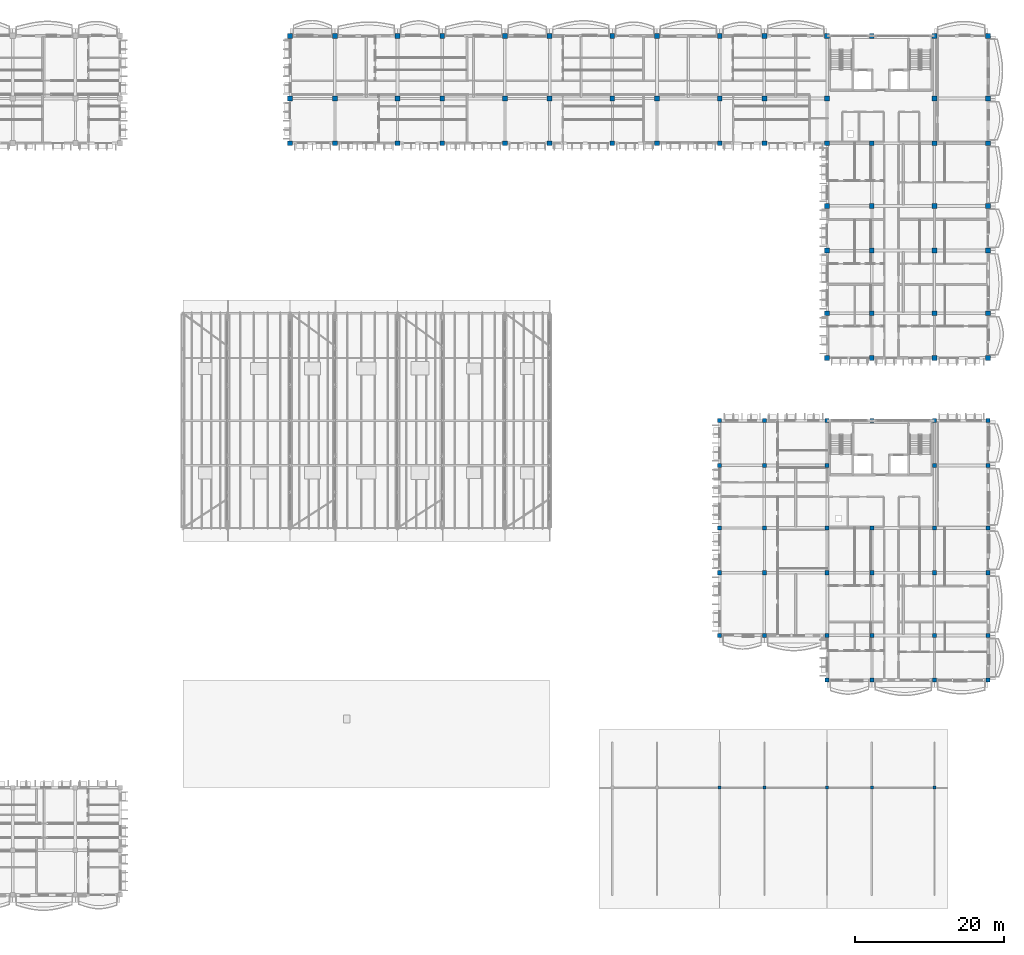
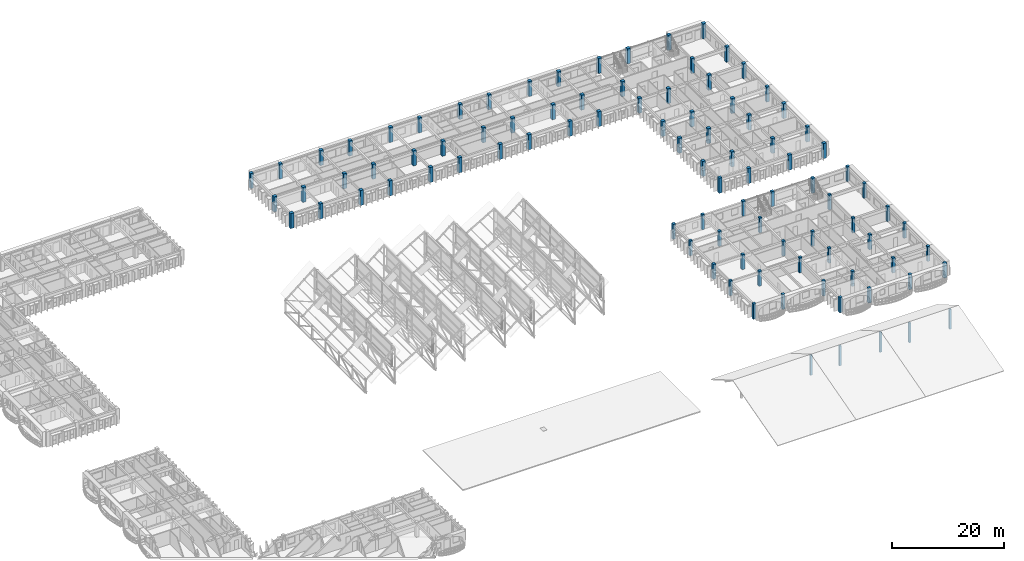
# One storey, part 11 of 101: 95 columns.
"""IFC4 building model written with IfcOpenShell, lengths in metres."""

from ifc_helpers import new_model, si_unit, direction, frame, origin, origin_2d, place, context, subcontext, project, spatial, rectangle, extrude, material, material_profile, profile_set, type_object, element, save


model = new_model("IFC4")

# Units and contexts
model_context = context("Model", 3, precision=1e-05, world=origin(), true_north=direction((0.0, 1.0)))
body_context = subcontext(model_context, "Body", "Model", "MODEL_VIEW")
ifc_project = project(units=[si_unit("LENGTHUNIT", "METRE"), si_unit("AREAUNIT", "SQUARE_METRE"), si_unit("VOLUMEUNIT", "CUBIC_METRE"), si_unit("PLANEANGLEUNIT", "RADIAN"), si_unit("MASSUNIT", "GRAM", prefix="KILO"), si_unit("THERMODYNAMICTEMPERATUREUNIT", "KELVIN")], contexts=[model_context])

# Site, building, storey
site_placement = place(None, origin())
site = spatial("IfcSite", under=ifc_project, at=site_placement, CompositionType="ELEMENT")
building_placement = place(site_placement, origin())
building = spatial("IfcBuilding", under=site, at=building_placement, Name="Thalorik Housing Commons", CompositionType="ELEMENT")
storey_placement = place(building_placement, frame((0.0, 0.0, 8.10009765625)))
storey = spatial("IfcBuildingStorey", under=building, at=storey_placement, Name="L02", CompositionType="ELEMENT", Elevation=8.10009765625)

# Columns
ifc_material = material(Name="Precast concrete C40/50", Category="concrete")
ifc_material_profile_1 = material_profile(ifc_material, rectangle(XDim=0.39990234375, YDim=0.39990234375, at=origin_2d()), Name="PC 400x400", Category="concrete")
ifc_profile_set_1 = profile_set([ifc_material_profile_1], Name="Precast concrete C40/50")
column_type_1 = type_object("IfcColumnType", Name="STR-COL-PC400", PredefinedType="COLUMN", material=ifc_profile_set_1)
for number, where, z_axis, x_axis, name in (
    (1, (138.0, 22.800048828125, 0.0), (0.0, 0.0, 1.0), (1.0, 0.0, 0.0), "L02 Nursery Ridge Column 3"),
    (2, (144.0, 22.800048828125, 0.0), (0.0, 0.0, 1.0), (1.0, 0.0, 0.0), "L02 Nursery Ridge Column 4"),
    (3, (152.39990234375, 22.800048828125, 0.0), (0.0, 0.0, 1.0), (1.0, 0.0, 0.0), "L02 Nursery Ridge Column 5"),
    (4, (158.39990234375, 22.800048828125, 0.0), (0.0, 0.0, 1.0), (1.0, 0.0, 0.0), "L02 Nursery Ridge Column 6"),
    (5, (166.800048828125, 22.800048828125, 0.0), (0.0, 0.0, 1.0), (1.0, 0.0, 0.0), "L02 Nursery Ridge Column 7"),
):
    element("IfcColumn", number, at=place(storey_placement, frame(where, z_axis=z_axis, x_axis=x_axis)), inside=storey, type_object=column_type_1, Name=name, PredefinedType="COLUMN", context=body_context, shape_type="SweptSolid", body=[
        extrude(rectangle(XDim=0.39990234375, YDim=0.39990234375, at=origin_2d()), origin(), (0.0, 0.0, 1.0), 4.309814453125),
    ])
ifc_material_profile_2 = material_profile(ifc_material, rectangle(XDim=0.550048828125, YDim=0.550048828125, at=origin_2d()), Name="PC 550x550", Category="concrete")
ifc_profile_set_2 = profile_set([ifc_material_profile_2], Name="Precast concrete C40/50")
column_type_2 = type_object("IfcColumnType", Name="STR-COL-PC550", PredefinedType="COLUMN", material=ifc_profile_set_2)
for number, where, z_axis, x_axis, name in (
    (6, (138.0, 43.199951171875, 0.0), (0.0, 0.0, 1.0), (1.0, 0.0, 0.0), "L02 Column C-550"),
    (7, (138.0, 51.60009765625, 0.0), (0.0, 0.0, 1.0), (1.0, 0.0, 0.0), "L02 Column C-550"),
    (8, (138.0, 57.60009765625, 0.0), (0.0, 0.0, 1.0), (1.0, 0.0, 0.0), "L02 Column C-550"),
    (9, (138.0, 66.0, 0.0), (0.0, 0.0, 1.0), (1.0, 0.0, 0.0), "L02 Column C-550"),
    (10, (138.0, 72.0, 0.0), (0.0, 0.0, 1.0), (1.0, 0.0, 0.0), "L02 Column C-550"),
    (11, (144.0, 43.199951171875, 0.0), (0.0, 0.0, 1.0), (1.0, 0.0, 0.0), "L02 Column C-550"),
    (12, (144.0, 51.60009765625, 0.0), (0.0, 0.0, 1.0), (1.0, 0.0, 0.0), "L02 Column C-550"),
    (13, (144.0, 57.60009765625, 0.0), (0.0, 0.0, 1.0), (1.0, 0.0, 0.0), "L02 Column C-550"),
    (14, (144.0, 66.0, 0.0), (0.0, 0.0, 1.0), (1.0, 0.0, 0.0), "L02 Column C-550"),
    (15, (144.0, 72.0, 0.0), (0.0, 0.0, 1.0), (1.0, 0.0, 0.0), "L02 Column C-550"),
    (16, (152.39990234375, 37.199951171875, 0.0), (0.0, 0.0, 1.0), (1.0, 0.0, 0.0), "L02 Column C-550"),
    (17, (152.39990234375, 43.199951171875, 0.0), (0.0, 0.0, 1.0), (1.0, 0.0, 0.0), "L02 Column C-550"),
    (18, (152.39990234375, 51.60009765625, 0.0), (0.0, 0.0, 1.0), (1.0, 0.0, 0.0), "L02 Column C-550"),
    (19, (152.39990234375, 57.60009765625, 0.0), (0.0, 0.0, 1.0), (1.0, 0.0, 0.0), "L02 Column C-550"),
    (20, (152.39990234375, 66.0, 0.0), (0.0, 0.0, 1.0), (1.0, 0.0, 0.0), "L02 Column C-550"),
    (21, (152.39990234375, 72.0, 0.0), (0.0, 0.0, 1.0), (1.0, 0.0, 0.0), "L02 Column C-550"),
    (22, (158.39990234375, 37.199951171875, 0.0), (0.0, 0.0, 1.0), (1.0, 0.0, 0.0), "L02 Column C-550"),
    (23, (158.39990234375, 43.199951171875, 0.0), (0.0, 0.0, 1.0), (1.0, 0.0, 0.0), "L02 Column C-550"),
    (24, (158.39990234375, 51.60009765625, 0.0), (0.0, 0.0, 1.0), (1.0, 0.0, 0.0), "L02 Column C-550"),
    (25, (158.39990234375, 57.60009765625, 0.0), (0.0, 0.0, 1.0), (1.0, 0.0, 0.0), "L02 Column C-550"),
    (26, (158.39990234375, 72.0, 0.0), (0.0, 0.0, 1.0), (1.0, 0.0, 0.0), "L02 Column C-550"),
    (27, (166.800048828125, 37.199951171875, 0.0), (0.0, 0.0, 1.0), (1.0, 0.0, 0.0), "L02 Column C-550"),
    (28, (166.800048828125, 43.199951171875, 0.0), (0.0, 0.0, 1.0), (1.0, 0.0, 0.0), "L02 Column C-550"),
    (29, (166.800048828125, 51.60009765625, 0.0), (0.0, 0.0, 1.0), (1.0, 0.0, 0.0), "L02 Column C-550"),
    (30, (166.800048828125, 57.60009765625, 0.0), (0.0, 0.0, 1.0), (1.0, 0.0, 0.0), "L02 Column C-550"),
    (31, (166.800048828125, 66.0, 0.0), (0.0, 0.0, 1.0), (1.0, 0.0, 0.0), "L02 Column C-550"),
    (32, (166.800048828125, 72.0, 0.0), (0.0, 0.0, 1.0), (1.0, 0.0, 0.0), "L02 Column C-550"),
    (33, (174.0, 37.199951171875, 0.0), (0.0, 0.0, 1.0), (1.0, 0.0, 0.0), "L02 Column C-550"),
    (34, (174.0, 43.199951171875, 0.0), (0.0, 0.0, 1.0), (1.0, 0.0, 0.0), "L02 Column C-550"),
    (35, (174.0, 51.60009765625, 0.0), (0.0, 0.0, 1.0), (1.0, 0.0, 0.0), "L02 Column C-550"),
    (36, (174.0, 57.60009765625, 0.0), (0.0, 0.0, 1.0), (1.0, 0.0, 0.0), "L02 Column C-550"),
    (37, (174.0, 66.0, 0.0), (0.0, 0.0, 1.0), (1.0, 0.0, 0.0), "L02 Column C-550"),
    (38, (174.0, 72.0, 0.0), (0.0, 0.0, 1.0), (1.0, 0.0, 0.0), "L02 Column C-550"),
):
    element("IfcColumn", number, at=place(storey_placement, frame(where, z_axis=z_axis, x_axis=x_axis)), inside=storey, type_object=column_type_2, Name=name, PredefinedType="COLUMN", context=body_context, shape_type="SweptSolid", body=[
        extrude(rectangle(XDim=0.550048828125, YDim=0.550048828125, at=origin_2d()), origin(), (0.0, 0.0, 1.0), 3.2998046875),
    ])
ifc_material_profile_3 = material_profile(ifc_material, rectangle(XDim=0.64990234375, YDim=0.64990234375, at=origin_2d()), Name="PC 650x650", Category="concrete")
ifc_profile_set_3 = profile_set([ifc_material_profile_3], Name="Precast concrete C40/50")
column_type_3 = type_object("IfcColumnType", Name="STR-COL-PC650", PredefinedType="COLUMN", material=ifc_profile_set_3)
for number, where, z_axis, x_axis, name in (
    (39, (80.39990234375, 109.199951171875, 0.0), (0.0, 0.0, 1.0), (1.0, 0.0, 0.0), "L02 Column C-650"),
    (40, (80.39990234375, 115.199951171875, 0.0), (0.0, 0.0, 1.0), (1.0, 0.0, 0.0), "L02 Column C-650"),
    (41, (80.39990234375, 123.60009765625, 0.0), (0.0, 0.0, 1.0), (1.0, 0.0, 0.0), "L02 Column C-650"),
    (42, (86.39990234375, 109.199951171875, 0.0), (0.0, 0.0, 1.0), (1.0, 0.0, 0.0), "L02 Column C-650"),
    (43, (86.39990234375, 115.199951171875, 0.0), (0.0, 0.0, 1.0), (1.0, 0.0, 0.0), "L02 Column C-650"),
    (44, (86.39990234375, 123.60009765625, 0.0), (0.0, 0.0, 1.0), (1.0, 0.0, 0.0), "L02 Column C-650"),
    (45, (94.800048828125, 109.199951171875, 0.0), (0.0, 0.0, 1.0), (1.0, 0.0, 0.0), "L02 Column C-650"),
    (46, (94.800048828125, 115.199951171875, 0.0), (0.0, 0.0, 1.0), (1.0, 0.0, 0.0), "L02 Column C-650"),
    (47, (94.800048828125, 123.60009765625, 0.0), (0.0, 0.0, 1.0), (1.0, 0.0, 0.0), "L02 Column C-650"),
    (48, (100.800048828125, 109.199951171875, 0.0), (0.0, 0.0, 1.0), (1.0, 0.0, 0.0), "L02 Column C-650"),
    (49, (100.800048828125, 115.199951171875, 0.0), (0.0, 0.0, 1.0), (1.0, 0.0, 0.0), "L02 Column C-650"),
    (50, (100.800048828125, 123.60009765625, 0.0), (0.0, 0.0, 1.0), (1.0, 0.0, 0.0), "L02 Column C-650"),
    (51, (109.199951171875, 109.199951171875, 0.0), (0.0, 0.0, 1.0), (1.0, 0.0, 0.0), "L02 Column C-650"),
    (52, (109.199951171875, 115.199951171875, 0.0), (0.0, 0.0, 1.0), (1.0, 0.0, 0.0), "L02 Column C-650"),
    (53, (109.199951171875, 123.60009765625, 0.0), (0.0, 0.0, 1.0), (1.0, 0.0, 0.0), "L02 Column C-650"),
    (54, (115.199951171875, 109.199951171875, 0.0), (0.0, 0.0, 1.0), (1.0, 0.0, 0.0), "L02 Column C-650"),
    (55, (115.199951171875, 115.199951171875, 0.0), (0.0, 0.0, 1.0), (1.0, 0.0, 0.0), "L02 Column C-650"),
    (56, (115.199951171875, 123.60009765625, 0.0), (0.0, 0.0, 1.0), (1.0, 0.0, 0.0), "L02 Column C-650"),
    (57, (123.60009765625, 109.199951171875, 0.0), (0.0, 0.0, 1.0), (1.0, 0.0, 0.0), "L02 Column C-650"),
    (58, (123.60009765625, 115.199951171875, 0.0), (0.0, 0.0, 1.0), (1.0, 0.0, 0.0), "L02 Column C-650"),
    (59, (123.60009765625, 123.60009765625, 0.0), (0.0, 0.0, 1.0), (1.0, 0.0, 0.0), "L02 Column C-650"),
    (60, (129.60009765625, 109.199951171875, 0.0), (0.0, 0.0, 1.0), (1.0, 0.0, 0.0), "L02 Column C-650"),
    (61, (129.60009765625, 115.199951171875, 0.0), (0.0, 0.0, 1.0), (1.0, 0.0, 0.0), "L02 Column C-650"),
    (62, (129.60009765625, 123.60009765625, 0.0), (0.0, 0.0, 1.0), (1.0, 0.0, 0.0), "L02 Column C-650"),
    (63, (138.0, 109.199951171875, 0.0), (0.0, 0.0, 1.0), (1.0, 0.0, 0.0), "L02 Column C-650"),
    (64, (138.0, 115.199951171875, 0.0), (0.0, 0.0, 1.0), (1.0, 0.0, 0.0), "L02 Column C-650"),
    (65, (138.0, 123.60009765625, 0.0), (0.0, 0.0, 1.0), (1.0, 0.0, 0.0), "L02 Column C-650"),
    (66, (144.0, 109.199951171875, 0.0), (0.0, 0.0, 1.0), (1.0, 0.0, 0.0), "L02 Column C-650"),
    (67, (144.0, 115.199951171875, 0.0), (0.0, 0.0, 1.0), (1.0, 0.0, 0.0), "L02 Column C-650"),
    (68, (144.0, 123.60009765625, 0.0), (0.0, 0.0, 1.0), (1.0, 0.0, 0.0), "L02 Column C-650"),
    (69, (152.39990234375, 80.39990234375, 0.0), (0.0, 0.0, 1.0), (1.0, 0.0, 0.0), "L02 Column C-650"),
    (70, (152.39990234375, 86.39990234375, 0.0), (0.0, 0.0, 1.0), (1.0, 0.0, 0.0), "L02 Column C-650"),
    (71, (152.39990234375, 94.800048828125, 0.0), (0.0, 0.0, 1.0), (1.0, 0.0, 0.0), "L02 Column C-650"),
    (72, (152.39990234375, 100.800048828125, 0.0), (0.0, 0.0, 1.0), (1.0, 0.0, 0.0), "L02 Column C-650"),
    (73, (152.39990234375, 109.199951171875, 0.0), (0.0, 0.0, 1.0), (1.0, 0.0, 0.0), "L02 Column C-650"),
    (74, (152.39990234375, 115.199951171875, 0.0), (0.0, 0.0, 1.0), (1.0, 0.0, 0.0), "L02 Column C-650"),
    (75, (152.39990234375, 123.60009765625, 0.0), (0.0, 0.0, 1.0), (1.0, 0.0, 0.0), "L02 Column C-650"),
    (76, (158.39990234375, 80.39990234375, 0.0), (0.0, 0.0, 1.0), (1.0, 0.0, 0.0), "L02 Column C-650"),
    (77, (158.39990234375, 86.39990234375, 0.0), (0.0, 0.0, 1.0), (1.0, 0.0, 0.0), "L02 Column C-650"),
    (78, (158.39990234375, 94.800048828125, 0.0), (0.0, 0.0, 1.0), (1.0, 0.0, 0.0), "L02 Column C-650"),
    (79, (158.39990234375, 100.800048828125, 0.0), (0.0, 0.0, 1.0), (1.0, 0.0, 0.0), "L02 Column C-650"),
    (80, (158.39990234375, 109.199951171875, 0.0), (0.0, 0.0, 1.0), (1.0, 0.0, 0.0), "L02 Column C-650"),
    (81, (158.39990234375, 123.60009765625, 0.0), (0.0, 0.0, 1.0), (1.0, 0.0, 0.0), "L02 Column C-650"),
    (82, (166.800048828125, 80.39990234375, 0.0), (0.0, 0.0, 1.0), (1.0, 0.0, 0.0), "L02 Column C-650"),
    (83, (166.800048828125, 86.39990234375, 0.0), (0.0, 0.0, 1.0), (1.0, 0.0, 0.0), "L02 Column C-650"),
    (84, (166.800048828125, 94.800048828125, 0.0), (0.0, 0.0, 1.0), (1.0, 0.0, 0.0), "L02 Column C-650"),
    (85, (166.800048828125, 100.800048828125, 0.0), (0.0, 0.0, 1.0), (1.0, 0.0, 0.0), "L02 Column C-650"),
    (86, (166.800048828125, 109.199951171875, 0.0), (0.0, 0.0, 1.0), (1.0, 0.0, 0.0), "L02 Column C-650"),
    (87, (166.800048828125, 115.199951171875, 0.0), (0.0, 0.0, 1.0), (1.0, 0.0, 0.0), "L02 Column C-650"),
    (88, (166.800048828125, 123.60009765625, 0.0), (0.0, 0.0, 1.0), (1.0, 0.0, 0.0), "L02 Column C-650"),
    (89, (174.0, 80.39990234375, 0.0), (0.0, 0.0, 1.0), (1.0, 0.0, 0.0), "L02 Column C-650"),
    (90, (174.0, 86.39990234375, 0.0), (0.0, 0.0, 1.0), (1.0, 0.0, 0.0), "L02 Column C-650"),
    (91, (174.0, 94.800048828125, 0.0), (0.0, 0.0, 1.0), (1.0, 0.0, 0.0), "L02 Column C-650"),
    (92, (174.0, 100.800048828125, 0.0), (0.0, 0.0, 1.0), (1.0, 0.0, 0.0), "L02 Column C-650"),
    (93, (174.0, 109.199951171875, 0.0), (0.0, 0.0, 1.0), (1.0, 0.0, 0.0), "L02 Column C-650"),
    (94, (174.0, 115.199951171875, 0.0), (0.0, 0.0, 1.0), (1.0, 0.0, 0.0), "L02 Column C-650"),
    (95, (174.0, 123.60009765625, 0.0), (0.0, 0.0, 1.0), (1.0, 0.0, 0.0), "L02 Column C-650"),
):
    element("IfcColumn", number, at=place(storey_placement, frame(where, z_axis=z_axis, x_axis=x_axis)), inside=storey, type_object=column_type_3, Name=name, PredefinedType="COLUMN", context=body_context, shape_type="SweptSolid", body=[
        extrude(rectangle(XDim=0.64990234375, YDim=0.64990234375, at=origin_2d()), origin(), (0.0, 0.0, 1.0), 3.2998046875),
    ])

save(model, "model.ifc")
